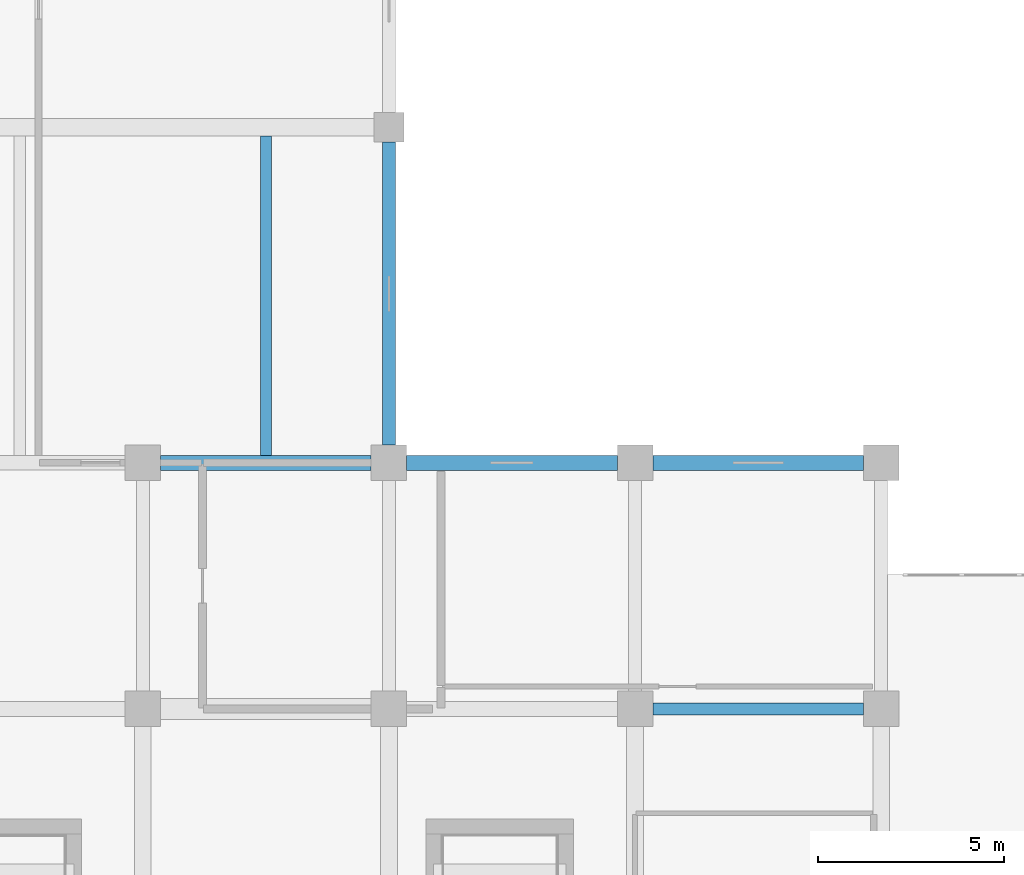
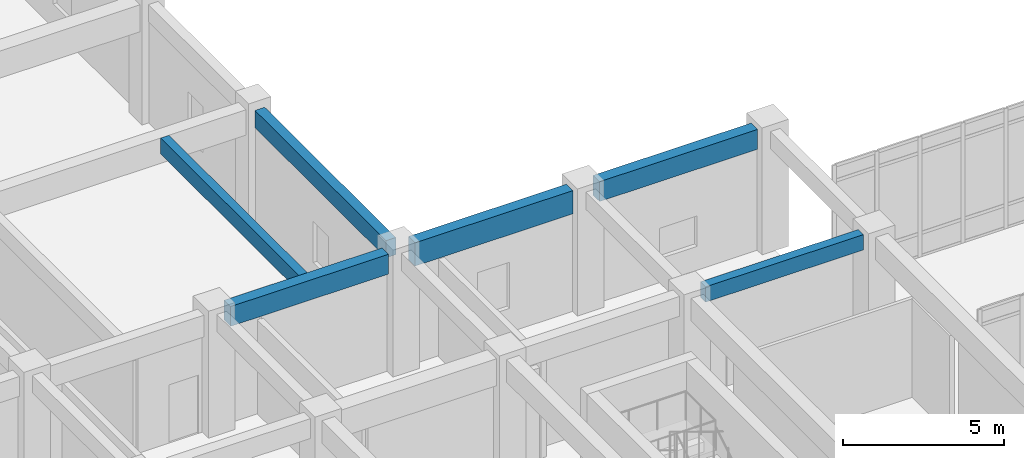
# One storey, part 6 of 65: 6 beams.
"""IFC4 building model written with IfcOpenShell, lengths in metres."""

from ifc_helpers import new_model, si_unit, direction, frame, origin, origin_2d, place, context, subcontext, project, spatial, rectangle, extrude, material, material_profile, profile_set, type_object, element, save


model = new_model("IFC4")

# Units and contexts
model_context = context("Model", 3, precision=1e-05, world=origin(), true_north=direction((0.0, 1.0)))
body_context = subcontext(model_context, "Body", "Model", "MODEL_VIEW")
ifc_project = project(units=[si_unit("LENGTHUNIT", "METRE"), si_unit("AREAUNIT", "SQUARE_METRE"), si_unit("VOLUMEUNIT", "CUBIC_METRE"), si_unit("PLANEANGLEUNIT", "RADIAN"), si_unit("MASSUNIT", "GRAM", prefix="KILO")], contexts=[model_context])

# Site, building, storey
site_placement = place(None, origin())
site = spatial("IfcSite", under=ifc_project, at=site_placement, CompositionType="ELEMENT")
building_placement = place(site_placement, origin())
building = spatial("IfcBuilding", under=site, at=building_placement, Name="Miralva Faculty of Natural Sciences", CompositionType="ELEMENT")
storey_placement = place(building_placement, frame((0.0, 0.0, 10.199951171875)))
storey = spatial("IfcBuildingStorey", under=building, at=storey_placement, Name="L02", CompositionType="ELEMENT", Elevation=10.199951171875)

# Beams
ifc_material = material(Name="Concrete C40/50", Category="concrete")
ifc_material_profile_1 = material_profile(ifc_material, rectangle(XDim=0.39990234375, YDim=0.75, at=origin_2d()), Name="RC 400x750")
ifc_profile_set_1 = profile_set([ifc_material_profile_1], Name="Concrete C40/50")
beam_type_1 = type_object("IfcBeamType", Name="BM-B03", PredefinedType="BEAM", material=ifc_profile_set_1)
for number, where, z_axis, x_axis, name in (
    (1, (16.675048828125, 30.0, 4.10498046875), (1.0, 0.0, 0.0), (0.0, 1.0, 0.0), "Girder EW L02-28"),
    (2, (29.875, 30.0, 4.205078125), (1.0, 0.0, 0.0), (0.0, 1.0, 0.0), "Girder EW L02-30"),
):
    element("IfcBeam", number, at=place(storey_placement, frame(where, z_axis=z_axis, x_axis=x_axis)), inside=storey, type_object=beam_type_1, Name=name, PredefinedType="BEAM", context=body_context, shape_type="SweptSolid", body=[
        extrude(rectangle(XDim=0.39990234375, YDim=0.75, at=origin_2d()), origin(), (0.0, 0.0, 1.0), 5.64990234375),
    ])
ifc_material_profile_2 = material_profile(ifc_material, rectangle(XDim=0.35009765625, YDim=0.64990234375, at=origin_2d()), Name="RC 350x650")
ifc_profile_set_2 = profile_set([ifc_material_profile_2], Name="Concrete C40/50")
beam_type_2 = type_object("IfcBeamType", Name="BM-B05", PredefinedType="BEAM", material=ifc_profile_set_2)
beam_1_placement = place(storey_placement, frame((22.800048828125, 30.47509765625, 4.155029296875), z_axis=(0.0, 1.0, 0.0), x_axis=(-1.0, 0.0, 0.0)))
element("IfcBeam", 3, at=beam_1_placement, inside=storey, type_object=beam_type_2, Name="Girder NS L02-102", PredefinedType="BEAM", context=body_context, shape_type="SweptSolid", body=[
    extrude(rectangle(XDim=0.35009765625, YDim=0.64990234375, at=origin_2d()), origin(), (0.0, 0.0, 1.0), 8.125),
])
ifc_material_profile_3 = material_profile(ifc_material, rectangle(XDim=0.320068359375, YDim=0.580078125, at=origin_2d()), Name="RC 320x580")
ifc_profile_set_3 = profile_set([ifc_material_profile_3], Name="Concrete C40/50")
beam_type_3 = type_object("IfcBeamType", Name="BM-BG02", PredefinedType="BEAM", material=ifc_profile_set_3)
beam_2_placement = place(storey_placement, frame((29.875, 23.39990234375, 4.2900390625), z_axis=(1.0, 0.0, 0.0), x_axis=(0.0, 1.0, 0.0)))
element("IfcBeam", 4, at=beam_2_placement, inside=storey, type_object=beam_type_3, Name="Girder EW L02-21", PredefinedType="BEAM", context=body_context, shape_type="SweptSolid", body=[
    extrude(rectangle(XDim=0.320068359375, YDim=0.580078125, at=origin_2d()), origin(), (0.0, 0.0, 1.0), 5.64990234375),
])
ifc_material_profile_4 = material_profile(ifc_material, rectangle(XDim=0.39990234375, YDim=0.8798828125, at=origin_2d()), Name="RC 400x880")
ifc_profile_set_4 = profile_set([ifc_material_profile_4], Name="Concrete C40/50")
beam_type_4 = type_object("IfcBeamType", Name="BM-BG10", PredefinedType="BEAM", material=ifc_profile_set_4)
beam_3_placement = place(storey_placement, frame((23.27490234375, 30.0, 4.14013671875), z_axis=(1.0, 0.0, 0.0), x_axis=(0.0, 1.0, 0.0)))
element("IfcBeam", 5, at=beam_3_placement, inside=storey, type_object=beam_type_4, Name="Girder EW L02-29", PredefinedType="BEAM", context=body_context, shape_type="SweptSolid", body=[
    extrude(rectangle(XDim=0.39990234375, YDim=0.8798828125, at=origin_2d()), origin(), (0.0, 0.0, 1.0), 5.650146484375),
])
ifc_material_profile_5 = material_profile(ifc_material, rectangle(XDim=0.300048828125, YDim=0.60009765625, at=origin_2d()), Name="RC 300x600")
ifc_profile_set_5 = profile_set([ifc_material_profile_5], Name="Concrete C40/50")
beam_type_5 = type_object("IfcBeamType", Name="BM-J01", PredefinedType="JOIST", material=ifc_profile_set_5)
beam_4_placement = place(storey_placement, frame((19.5, 30.199951171875, 4.179931640625), z_axis=(0.0, 1.0, 0.0), x_axis=(-1.0, 0.0, 0.0)))
element("IfcBeam", 6, at=beam_4_placement, inside=storey, type_object=beam_type_5, Name="Floor joist L02-8", PredefinedType="JOIST", context=body_context, shape_type="SweptSolid", body=[
    extrude(rectangle(XDim=0.300048828125, YDim=0.60009765625, at=origin_2d()), origin(), (0.0, 0.0, 1.0), 8.570068359375),
])

save(model, "model.ifc")
